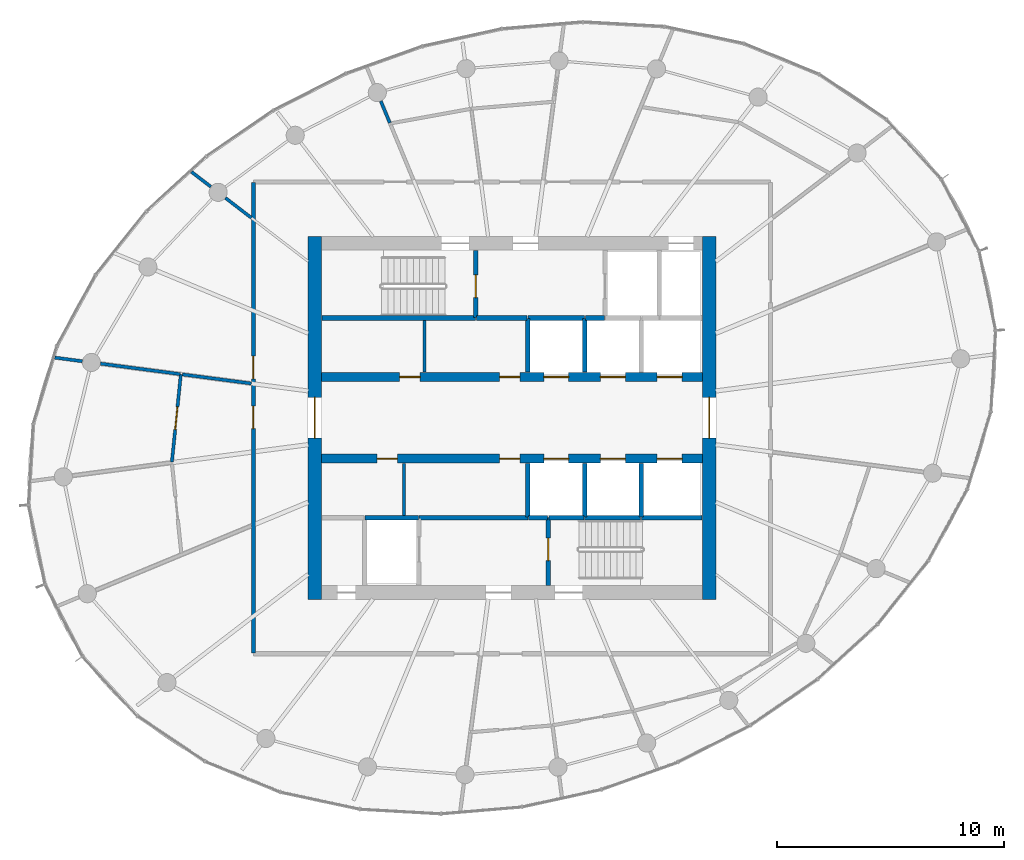
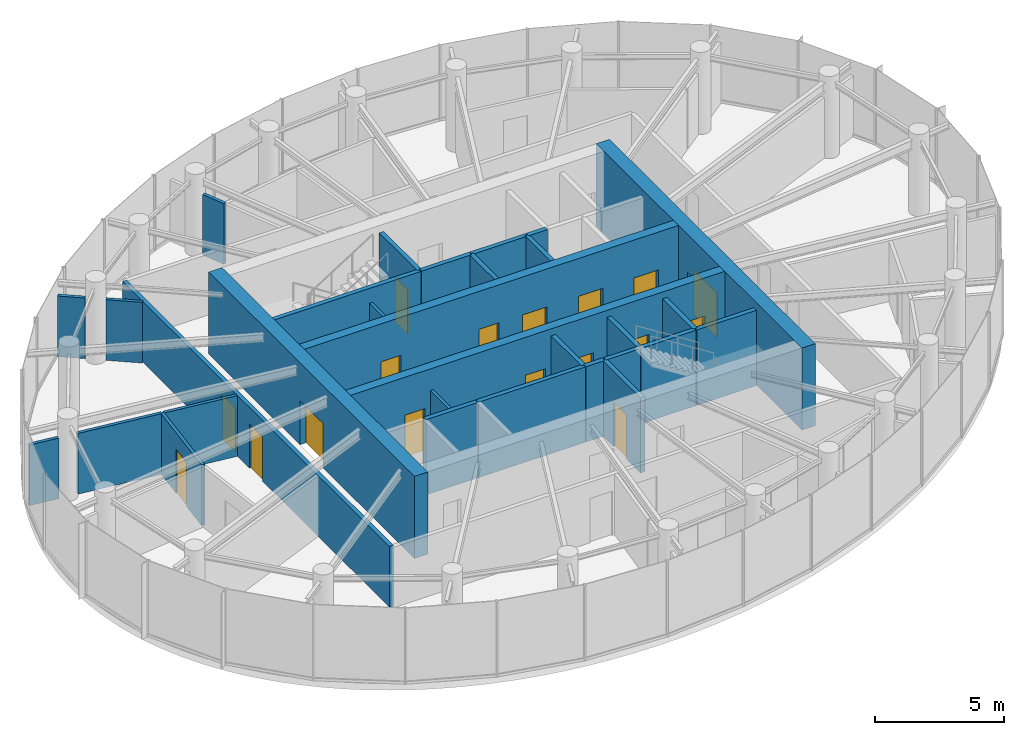
# One storey, part 9 of 13: 31 walls, 17 doors, 17 openings.
"""IFC4 building model written with IfcOpenShell, lengths in metres."""

from ifc_helpers import new_model, si_unit, direction, frame, frame_2d, origin, place, context, subcontext, project, spatial, rectangle, extrude, source, transform, mapped, material, layer, layer_set, type_object, element, fill, save


model = new_model("IFC4")

# Units and contexts
model_context = context("Model", 3, precision=1e-05, world=origin(), true_north=direction((0.0, 1.0)))
body_context = subcontext(model_context, "Body", "Model", "MODEL_VIEW")
ifc_project = project(units=[si_unit("LENGTHUNIT", "METRE"), si_unit("AREAUNIT", "SQUARE_METRE"), si_unit("VOLUMEUNIT", "CUBIC_METRE"), si_unit("PLANEANGLEUNIT", "RADIAN"), si_unit("MASSUNIT", "GRAM", prefix="KILO")], contexts=[model_context])

# Site, building, storey
site_placement = place(None, origin())
site = spatial("IfcSite", under=ifc_project, at=site_placement, CompositionType="ELEMENT")
building_placement = place(site_placement, origin())
building = spatial("IfcBuilding", under=site, at=building_placement, Name="Spindrift Exchange Tower", CompositionType="ELEMENT")
storey_placement = place(building_placement, frame((0.0, 0.0, 246.199951171875)))
storey = spatial("IfcBuildingStorey", under=building, at=storey_placement, Name="L60", CompositionType="ELEMENT", Elevation=246.199951171875)

# Wall, opening, door
ifc_material_1 = material(Name="Concrete 50 MPa", Category="concrete")
ifc_layer_1 = layer(ifc_material_1, 0.60009765625)
ifc_layer_set_1 = layer_set([ifc_layer_1], Name="RC Core Wall 600 Concrete 50 MPa")
wall_type_1 = type_object("IfcWallType", Name="RC Core Wall 600 Concrete 50 MPa", PredefinedType="SHEAR", material=ifc_layer_set_1)
wall_1_placement = place(storey_placement, frame((60.699951171875, 40.0, 0.0), z_axis=(0.0, 0.0, 1.0), x_axis=(0.0, 1.0, 0.0)))
wall_1 = element("IfcWall", 1, at=wall_1_placement, inside=storey, type_object=wall_type_1, Name="Core wall E L60", PredefinedType="SHEAR", context=body_context, shape_type="SweptSolid", body=[
    extrude(rectangle(XDim=16.0, YDim=0.60009765625, at=frame_2d((8.0, 0.0))), origin(), (0.0, 0.0, 1.0), 3.900146484375),
])
opening_1_placement = place(wall_1_placement, frame((7.10009765625, 0.0, 0.0)))
opening_1 = element("IfcOpeningElement", 2, at=opening_1_placement, cuts=wall_1, Name="Opening L60-D2", PredefinedType="OPENING", context=body_context, shape_type="SweptSolid", body=[
    extrude(rectangle(XDim=1.800048828125, YDim=2.10009765625, at=frame_2d((0.89990234375, 1.050048828125))), frame((0.0, 0.31005859375, 0.0), z_axis=(0.0, -1.0, 0.0), x_axis=(1.0, 0.0, 0.0)), (0.0, 0.0, 1.0), 0.6201171875),
])
ifc_material_2 = material(Name="Timber-core fire door", Category="wood")
door_type_1 = type_object("IfcDoorType", Name="DR-LOBBY-1800", OperationType="NOTDEFINED", PredefinedType="DOOR", material=ifc_material_2)
shared_shape_1 = source(origin(), body_context, "Body", "SweptSolid", [
    extrude(rectangle(XDim=1.800048828125, YDim=2.10009765625, at=frame_2d((0.89990234375, 1.050048828125))), frame((0.0, 0.02490234375, 0.0), z_axis=(0.0, -1.0, 0.0), x_axis=(1.0, 0.0, 0.0)), (0.0, 0.0, 1.0), 0.050048828125),
])
door_1_placement = place(opening_1_placement, origin())
door_1 = element("IfcDoor", 3, at=door_1_placement, inside=storey, type_object=door_type_1, Name="L60 Lobby door 2", OperationType="SINGLE_SWING_RIGHT", OverallHeight=2.10009765625, OverallWidth=1.800048828125, PredefinedType="DOOR", context=body_context, shape_type="MappedRepresentation", body=[
    mapped(shared_shape_1, transform((0.0, 0.0, 0.0), scale=1.0)),
])
fill(opening_1, door_1)

wall_2_placement = place(storey_placement, frame((43.300048828125, 56.0, 0.0), z_axis=(0.0, 0.0, 1.0), x_axis=(0.0, -1.0, 0.0)))
wall_2 = element("IfcWall", 4, at=wall_2_placement, inside=storey, type_object=wall_type_1, Name="Core wall W L60", PredefinedType="SHEAR", context=body_context, shape_type="SweptSolid", body=[
    extrude(rectangle(XDim=16.0, YDim=0.60009765625, at=frame_2d((8.0, 0.0))), origin(), (0.0, 0.0, 1.0), 3.900146484375),
])
opening_2_placement = place(wall_2_placement, frame((7.10009765625, 0.0, 0.0)))
opening_2 = element("IfcOpeningElement", 5, at=opening_2_placement, cuts=wall_2, Name="Opening L60-D1", PredefinedType="OPENING", context=body_context, shape_type="SweptSolid", body=[
    extrude(rectangle(XDim=1.800048828125, YDim=2.10009765625, at=frame_2d((0.89990234375, 1.050048828125))), frame((0.0, 0.31005859375, 0.0), z_axis=(0.0, -1.0, 0.0), x_axis=(1.0, 0.0, 0.0)), (0.0, 0.0, 1.0), 0.6201171875),
])
door_2_placement = place(opening_2_placement, origin())
door_2 = element("IfcDoor", 6, at=door_2_placement, inside=storey, type_object=door_type_1, Name="L60 Lobby door 1", OperationType="SINGLE_SWING_LEFT", OverallHeight=2.10009765625, OverallWidth=1.800048828125, PredefinedType="DOOR", context=body_context, shape_type="MappedRepresentation", body=[
    mapped(shared_shape_1, transform((0.0, 0.0, 0.0), scale=1.0)),
])
fill(opening_2, door_2)

# Wall, openings, doors
ifc_layer_2 = layer(ifc_material_1, 0.39990234375)
ifc_layer_set_2 = layer_set([ifc_layer_2], Name="RC Spine Wall 400 Concrete 50 MPa")
wall_type_2 = type_object("IfcWallType", Name="RC Spine Wall 400 Concrete 50 MPa", PredefinedType="SHEAR", material=ifc_layer_set_2)
wall_3_placement = place(storey_placement, frame((43.60009765625, 49.800048828125, 0.0), z_axis=(0.0, 0.0, 1.0), x_axis=(1.0, 0.0, 0.0)))
wall_3 = element("IfcWall", 7, at=wall_3_placement, inside=storey, type_object=wall_type_2, Name="Core spine wall N L60", PredefinedType="SHEAR", context=body_context, shape_type="SweptSolid", body=[
    extrude(rectangle(XDim=16.7998046875, YDim=0.39990234375, at=frame_2d((8.39990234375, 0.0))), origin(), (0.0, 0.0, 1.0), 3.900146484375),
])
opening_3_placement = place(wall_3_placement, frame((9.800048828125, 0.0, 0.0)))
opening_3 = element("IfcOpeningElement", 8, at=opening_3_placement, cuts=wall_3, Name="Opening L60-D3", PredefinedType="OPENING", context=body_context, shape_type="SweptSolid", body=[
    extrude(rectangle(XDim=1.10009765625, YDim=2.10009765625, at=frame_2d((0.550048828125, 1.050048828125))), frame((0.0, 0.2099609375, 0.0), z_axis=(0.0, -1.0, 0.0), x_axis=(1.0, 0.0, 0.0)), (0.0, 0.0, 1.0), 0.419921875),
])
opening_4_placement = place(wall_3_placement, frame((12.300048828125, 0.0, 0.0)))
opening_4 = element("IfcOpeningElement", 9, at=opening_4_placement, cuts=wall_3, Name="Opening L60-D4", PredefinedType="OPENING", context=body_context, shape_type="SweptSolid", body=[
    extrude(rectangle(XDim=1.10009765625, YDim=2.10009765625, at=frame_2d((0.550048828125, 1.050048828125))), frame((0.0, 0.2099609375, 0.0), z_axis=(0.0, -1.0, 0.0), x_axis=(1.0, 0.0, 0.0)), (0.0, 0.0, 1.0), 0.419921875),
])
opening_5_placement = place(wall_3_placement, frame((14.800048828125, 0.0, 0.0)))
opening_5 = element("IfcOpeningElement", 10, at=opening_5_placement, cuts=wall_3, Name="Opening L60-D5", PredefinedType="OPENING", context=body_context, shape_type="SweptSolid", body=[
    extrude(rectangle(XDim=1.10009765625, YDim=2.10009765625, at=frame_2d((0.550048828125, 1.050048828125))), frame((0.0, 0.2099609375, 0.0), z_axis=(0.0, -1.0, 0.0), x_axis=(1.0, 0.0, 0.0)), (0.0, 0.0, 1.0), 0.419921875),
])
opening_6_placement = place(wall_3_placement, frame((3.449951171875, 0.0, 0.0)))
opening_6 = element("IfcOpeningElement", 11, at=opening_6_placement, cuts=wall_3, Name="Opening L60-D40", PredefinedType="OPENING", context=body_context, shape_type="SweptSolid", body=[
    extrude(rectangle(XDim=0.89990234375, YDim=2.10009765625, at=frame_2d((0.449951171875, 1.050048828125))), frame((0.0, 0.2099609375, 0.0), z_axis=(0.0, -1.0, 0.0), x_axis=(1.0, 0.0, 0.0)), (0.0, 0.0, 1.0), 0.419921875),
])
opening_7_placement = place(wall_3_placement, frame((7.85009765625, 0.0, 0.0)))
opening_7 = element("IfcOpeningElement", 12, at=opening_7_placement, cuts=wall_3, Name="Opening L60-D41", PredefinedType="OPENING", context=body_context, shape_type="SweptSolid", body=[
    extrude(rectangle(XDim=0.89990234375, YDim=2.10009765625, at=frame_2d((0.449951171875, 1.050048828125))), frame((0.0, 0.2099609375, 0.0), z_axis=(0.0, -1.0, 0.0), x_axis=(1.0, 0.0, 0.0)), (0.0, 0.0, 1.0), 0.419921875),
])
ifc_material_3 = material(Name="Stainless steel landing door", Category="steel")
door_type_2 = type_object("IfcDoorType", Name="DR-LANDING-1100-SL", OperationType="DOUBLE_DOOR_SLIDING", PredefinedType="USERDEFINED", material=ifc_material_3)
shared_shape_2 = source(origin(), body_context, "Body", "SweptSolid", [
    extrude(rectangle(XDim=1.10009765625, YDim=2.10009765625, at=frame_2d((0.550048828125, 1.050048828125))), frame((0.0, 0.02490234375, 0.0), z_axis=(0.0, -1.0, 0.0), x_axis=(1.0, 0.0, 0.0)), (0.0, 0.0, 1.0), 0.050048828125),
])
door_3_placement = place(opening_3_placement, origin())
door_3 = element("IfcDoor", 13, at=door_3_placement, inside=storey, type_object=door_type_2, Name="L60 Lift landing door 3", ObjectType="LANDING DOOR", OperationType="DOUBLE_DOOR_SLIDING", OverallHeight=2.10009765625, OverallWidth=1.10009765625, PredefinedType="USERDEFINED", context=body_context, shape_type="MappedRepresentation", body=[
    mapped(shared_shape_2, transform((0.0, 0.0, 0.0), scale=1.0)),
])
fill(opening_3, door_3)
door_4_placement = place(opening_4_placement, origin())
door_4 = element("IfcDoor", 14, at=door_4_placement, inside=storey, type_object=door_type_2, Name="L60 Lift landing door 4", ObjectType="LANDING DOOR", OperationType="DOUBLE_DOOR_SLIDING", OverallHeight=2.10009765625, OverallWidth=1.10009765625, PredefinedType="USERDEFINED", context=body_context, shape_type="MappedRepresentation", body=[
    mapped(shared_shape_2, transform((0.0, 0.0, 0.0), scale=1.0)),
])
fill(opening_4, door_4)
door_5_placement = place(opening_5_placement, origin())
door_5 = element("IfcDoor", 15, at=door_5_placement, inside=storey, type_object=door_type_2, Name="L60 Lift landing door 5", ObjectType="LANDING DOOR", OperationType="DOUBLE_DOOR_SLIDING", OverallHeight=2.10009765625, OverallWidth=1.10009765625, PredefinedType="USERDEFINED", context=body_context, shape_type="MappedRepresentation", body=[
    mapped(shared_shape_2, transform((0.0, 0.0, 0.0), scale=1.0)),
])
fill(opening_5, door_5)
ifc_material_4 = material(Name="Steel access door", Category="steel")
door_type_3 = type_object("IfcDoorType", Name="DR-RISER-900", OperationType="NOTDEFINED", PredefinedType="DOOR", material=ifc_material_4)
shared_shape_3 = source(origin(), body_context, "Body", "SweptSolid", [
    extrude(rectangle(XDim=0.89990234375, YDim=2.10009765625, at=frame_2d((0.449951171875, 1.050048828125))), frame((0.0, 0.02490234375, 0.0), z_axis=(0.0, -1.0, 0.0), x_axis=(1.0, 0.0, 0.0)), (0.0, 0.0, 1.0), 0.050048828125),
])
door_6_placement = place(opening_6_placement, origin())
door_6 = element("IfcDoor", 16, at=door_6_placement, inside=storey, type_object=door_type_3, Name="L60 Riser door 40", OperationType="SINGLE_SWING_LEFT", OverallHeight=2.10009765625, OverallWidth=0.89990234375, PredefinedType="DOOR", context=body_context, shape_type="MappedRepresentation", body=[
    mapped(shared_shape_3, transform((0.0, 0.0, 0.0), scale=1.0)),
])
fill(opening_6, door_6)
door_7_placement = place(opening_7_placement, origin())
door_7 = element("IfcDoor", 17, at=door_7_placement, inside=storey, type_object=door_type_3, Name="L60 Riser door 41", OperationType="SINGLE_SWING_RIGHT", OverallHeight=2.10009765625, OverallWidth=0.89990234375, PredefinedType="DOOR", context=body_context, shape_type="MappedRepresentation", body=[
    mapped(shared_shape_3, transform((0.0, 0.0, 0.0), scale=1.0)),
])
fill(opening_7, door_7)

wall_4_placement = place(storey_placement, frame((43.60009765625, 46.199951171875, 0.0), z_axis=(0.0, 0.0, 1.0), x_axis=(1.0, 0.0, 0.0)))
wall_4 = element("IfcWall", 18, at=wall_4_placement, inside=storey, type_object=wall_type_2, Name="Core spine wall S L60", PredefinedType="SHEAR", context=body_context, shape_type="SweptSolid", body=[
    extrude(rectangle(XDim=16.7998046875, YDim=0.39990234375, at=frame_2d((8.39990234375, 0.0))), origin(), (0.0, 0.0, 1.0), 3.900146484375),
])
opening_8_placement = place(wall_4_placement, frame((9.800048828125, 0.0, 0.0)))
opening_8 = element("IfcOpeningElement", 19, at=opening_8_placement, cuts=wall_4, Name="Opening L60-D6", PredefinedType="OPENING", context=body_context, shape_type="SweptSolid", body=[
    extrude(rectangle(XDim=1.10009765625, YDim=2.10009765625, at=frame_2d((0.550048828125, 1.050048828125))), frame((0.0, 0.2099609375, 0.0), z_axis=(0.0, -1.0, 0.0), x_axis=(1.0, 0.0, 0.0)), (0.0, 0.0, 1.0), 0.419921875),
])
opening_9_placement = place(wall_4_placement, frame((12.300048828125, 0.0, 0.0)))
opening_9 = element("IfcOpeningElement", 20, at=opening_9_placement, cuts=wall_4, Name="Opening L60-D7", PredefinedType="OPENING", context=body_context, shape_type="SweptSolid", body=[
    extrude(rectangle(XDim=1.10009765625, YDim=2.10009765625, at=frame_2d((0.550048828125, 1.050048828125))), frame((0.0, 0.2099609375, 0.0), z_axis=(0.0, -1.0, 0.0), x_axis=(1.0, 0.0, 0.0)), (0.0, 0.0, 1.0), 0.419921875),
])
opening_10_placement = place(wall_4_placement, frame((14.800048828125, 0.0, 0.0)))
opening_10 = element("IfcOpeningElement", 21, at=opening_10_placement, cuts=wall_4, Name="Opening L60-D8", PredefinedType="OPENING", context=body_context, shape_type="SweptSolid", body=[
    extrude(rectangle(XDim=1.10009765625, YDim=2.10009765625, at=frame_2d((0.550048828125, 1.050048828125))), frame((0.0, 0.2099609375, 0.0), z_axis=(0.0, -1.0, 0.0), x_axis=(1.0, 0.0, 0.0)), (0.0, 0.0, 1.0), 0.419921875),
])
opening_11_placement = place(wall_4_placement, frame((2.449951171875, 0.0, 0.0)))
opening_11 = element("IfcOpeningElement", 22, at=opening_11_placement, cuts=wall_4, Name="Opening L60-D42", PredefinedType="OPENING", context=body_context, shape_type="SweptSolid", body=[
    extrude(rectangle(XDim=0.89990234375, YDim=2.10009765625, at=frame_2d((0.449951171875, 1.050048828125))), frame((0.0, 0.2099609375, 0.0), z_axis=(0.0, -1.0, 0.0), x_axis=(1.0, 0.0, 0.0)), (0.0, 0.0, 1.0), 0.419921875),
])
opening_12_placement = place(wall_4_placement, frame((7.85009765625, 0.0, 0.0)))
opening_12 = element("IfcOpeningElement", 23, at=opening_12_placement, cuts=wall_4, Name="Opening L60-D43", PredefinedType="OPENING", context=body_context, shape_type="SweptSolid", body=[
    extrude(rectangle(XDim=0.89990234375, YDim=2.10009765625, at=frame_2d((0.449951171875, 1.050048828125))), frame((0.0, 0.2099609375, 0.0), z_axis=(0.0, -1.0, 0.0), x_axis=(1.0, 0.0, 0.0)), (0.0, 0.0, 1.0), 0.419921875),
])
door_8_placement = place(opening_8_placement, origin())
door_8 = element("IfcDoor", 24, at=door_8_placement, inside=storey, type_object=door_type_2, Name="L60 Lift landing door 6", ObjectType="LANDING DOOR", OperationType="DOUBLE_DOOR_SLIDING", OverallHeight=2.10009765625, OverallWidth=1.10009765625, PredefinedType="USERDEFINED", context=body_context, shape_type="MappedRepresentation", body=[
    mapped(shared_shape_2, transform((0.0, 0.0, 0.0), scale=1.0)),
])
fill(opening_8, door_8)
door_9_placement = place(opening_9_placement, origin())
door_9 = element("IfcDoor", 25, at=door_9_placement, inside=storey, type_object=door_type_2, Name="L60 Lift landing door 7", ObjectType="LANDING DOOR", OperationType="DOUBLE_DOOR_SLIDING", OverallHeight=2.10009765625, OverallWidth=1.10009765625, PredefinedType="USERDEFINED", context=body_context, shape_type="MappedRepresentation", body=[
    mapped(shared_shape_2, transform((0.0, 0.0, 0.0), scale=1.0)),
])
fill(opening_9, door_9)
door_10_placement = place(opening_10_placement, origin())
door_10 = element("IfcDoor", 26, at=door_10_placement, inside=storey, type_object=door_type_2, Name="L60 Lift landing door 8", ObjectType="LANDING DOOR", OperationType="DOUBLE_DOOR_SLIDING", OverallHeight=2.10009765625, OverallWidth=1.10009765625, PredefinedType="USERDEFINED", context=body_context, shape_type="MappedRepresentation", body=[
    mapped(shared_shape_2, transform((0.0, 0.0, 0.0), scale=1.0)),
])
fill(opening_10, door_10)
door_11_placement = place(opening_11_placement, origin())
door_11 = element("IfcDoor", 27, at=door_11_placement, inside=storey, type_object=door_type_3, Name="L60 Riser door 42", OperationType="SINGLE_SWING_LEFT", OverallHeight=2.10009765625, OverallWidth=0.89990234375, PredefinedType="DOOR", context=body_context, shape_type="MappedRepresentation", body=[
    mapped(shared_shape_3, transform((0.0, 0.0, 0.0), scale=1.0)),
])
fill(opening_11, door_11)
door_12_placement = place(opening_12_placement, origin())
door_12 = element("IfcDoor", 28, at=door_12_placement, inside=storey, type_object=door_type_3, Name="L60 Riser door 43", OperationType="SINGLE_SWING_RIGHT", OverallHeight=2.10009765625, OverallWidth=0.89990234375, PredefinedType="DOOR", context=body_context, shape_type="MappedRepresentation", body=[
    mapped(shared_shape_3, transform((0.0, 0.0, 0.0), scale=1.0)),
])
fill(opening_12, door_12)

# Wall, opening, door
ifc_material_5 = material(Name="Fire-rated plasterboard partition", Category="gypsum")
ifc_layer_3 = layer(ifc_material_5, 0.139892578125)
ifc_layer_set_3 = layer_set([ifc_layer_3], Name="W-PART-140")
wall_type_3 = type_object("IfcWallType", Name="W-PART-140", PredefinedType="PARTITIONING", material=ifc_layer_set_3)
wall_5_placement = place(storey_placement, frame((37.009765625, 46.055908203125, 0.0), z_axis=(0.0, 0.0, 1.0), x_axis=(0.101220533305, 0.994864012636, 0.0)))
wall_5 = element("IfcWall", 29, at=wall_5_placement, inside=storey, type_object=wall_type_3, Name="L60 Partition wall 42", PredefinedType="PARTITIONING", context=body_context, shape_type="SweptSolid", body=[
    extrude(rectangle(XDim=3.8857421875, YDim=0.139892578125, at=frame_2d((1.94287109375, 0.0))), origin(), (0.0, 0.0, 1.0), 2.880126953125),
])
opening_13_placement = place(wall_5_placement, frame((1.435791015625, 0.0, 0.0)))
opening_13 = element("IfcOpeningElement", 30, at=opening_13_placement, cuts=wall_5, Name="Opening L60-D24", PredefinedType="OPENING", context=body_context, shape_type="SweptSolid", body=[
    extrude(rectangle(XDim=1.0, YDim=2.10009765625, at=frame_2d((0.5, 1.050048828125))), frame((0.0, 0.079833984375, 0.0), z_axis=(0.0, -1.0, 0.0), x_axis=(1.0, 0.0, 0.0)), (0.0, 0.0, 1.0), 0.159912109375),
])
door_type_4 = type_object("IfcDoorType", Name="DR-ROOM-1000", OperationType="NOTDEFINED", PredefinedType="DOOR", material=ifc_material_2)
shared_shape_4 = source(origin(), body_context, "Body", "SweptSolid", [
    extrude(rectangle(XDim=1.0, YDim=2.10009765625, at=frame_2d((0.5, 1.050048828125))), frame((0.0, 0.02490234375, 0.0), z_axis=(0.0, -1.0, 0.0), x_axis=(1.0, 0.0, 0.0)), (0.0, 0.0, 1.0), 0.050048828125),
])
door_13_placement = place(opening_13_placement, origin())
door_13 = element("IfcDoor", 31, at=door_13_placement, inside=storey, type_object=door_type_4, Name="L60 Door 24", OperationType="SINGLE_SWING_LEFT", OverallHeight=2.10009765625, OverallWidth=1.0, PredefinedType="DOOR", context=body_context, shape_type="MappedRepresentation", body=[
    mapped(shared_shape_4, transform((0.0, 0.0, 0.0), scale=1.0)),
])
fill(opening_13, door_13)

# Walls
wall_6_placement = place(storey_placement, frame((37.373291015625, 49.925537109375, 0.0), z_axis=(0.0, 0.0, 1.0), x_axis=(-0.991444440683, 0.130529387644, 0.0)))
element("IfcWall", 32, at=wall_6_placement, inside=storey, type_object=wall_type_3, Name="L60 Partition wall 48", PredefinedType="PARTITIONING", context=body_context, shape_type="SweptSolid", body=[
    extrude(rectangle(XDim=3.54248046875, YDim=0.139892578125, at=frame_2d((1.771240234375, 0.0))), origin(), (0.0, 0.0, 1.0), 2.880126953125),
])
wall_7_placement = place(storey_placement, frame((40.510009765625, 49.5126953125, 0.0), z_axis=(0.0, 0.0, 1.0), x_axis=(-0.99144507148, 0.130524596294, 0.0)))
element("IfcWall", 33, at=wall_7_placement, inside=storey, type_object=wall_type_3, Name="L60 Partition wall 52", PredefinedType="PARTITIONING", context=body_context, shape_type="SweptSolid", body=[
    extrude(rectangle(XDim=3.063720703125, YDim=0.139892578125, at=frame_2d((1.53173828125, 0.0))), origin(), (0.0, 0.0, 1.0), 2.880126953125),
])
for number, where, z_axis, x_axis, name in (
    (34, (47.239990234375, 43.699951171875, 0.0), (0.0, 0.0, 1.0), (0.0, 1.0, 0.0), "L60 Partition wall 55"),
    (35, (48.14990234375, 50.010009765625, 0.0), (0.0, 0.0, 1.0), (0.0, 1.0, 0.0), "L60 Partition wall 56"),
):
    element("IfcWall", number, at=place(storey_placement, frame(where, z_axis=z_axis, x_axis=x_axis)), inside=storey, type_object=wall_type_3, Name=name, PredefinedType="PARTITIONING", context=body_context, shape_type="SweptSolid", body=[
        extrude(rectangle(XDim=2.2900390625, YDim=0.139892578125, at=frame_2d((1.14501953125, 0.0))), origin(), (0.0, 0.0, 1.0), 2.880126953125),
    ])
wall_8_placement = place(storey_placement, frame((40.510009765625, 56.816650390625, 0.0), z_axis=(0.0, 0.0, 1.0), x_axis=(-0.793316945216, 0.608808857059, 0.0)))
element("IfcWall", 36, at=wall_8_placement, inside=storey, type_object=wall_type_3, Name="L60 Partition wall 57", PredefinedType="PARTITIONING", context=body_context, shape_type="SweptSolid", body=[
    extrude(rectangle(XDim=1.439697265625, YDim=0.139892578125, at=frame_2d((0.7197265625, 0.0))), origin(), (0.0, 0.0, 1.0), 2.880126953125),
])
wall_9_placement = place(storey_placement, frame((33.058837890625, 50.49365234375, 0.0), z_axis=(0.0, 0.0, 1.0), x_axis=(-0.991435934833, 0.130593978123, 0.0)))
element("IfcWall", 37, at=wall_9_placement, inside=storey, type_object=wall_type_3, Name="L60 Partition wall 64", PredefinedType="PARTITIONING", context=body_context, shape_type="SweptSolid", body=[
    extrude(rectangle(XDim=1.22265625, YDim=0.139892578125, at=frame_2d((0.611328125, 0.0))), origin(), (0.0, 0.0, 1.0), 2.880126953125),
])
wall_10_placement = place(storey_placement, frame((38.72607421875, 58.185546875, 0.0), z_axis=(0.0, 0.0, 1.0), x_axis=(-0.793403043082, 0.608696649596, 0.0)))
element("IfcWall", 38, at=wall_10_placement, inside=storey, type_object=wall_type_3, Name="L60 Partition wall 71", PredefinedType="PARTITIONING", context=body_context, shape_type="SweptSolid", body=[
    extrude(rectangle(XDim=1.08251953125, YDim=0.139892578125, at=frame_2d((0.541259765625, 0.0))), origin(), (0.0, 0.0, 1.0), 2.880126953125),
])
wall_11_placement = place(storey_placement, frame((46.614501953125, 61.001708984375, 0.0), z_axis=(0.0, 0.0, 1.0), x_axis=(-0.382608264474, 0.923910664489, 0.0)))
element("IfcWall", 39, at=wall_11_placement, inside=storey, type_object=wall_type_3, Name="L60 Partition wall 74", PredefinedType="PARTITIONING", context=body_context, shape_type="SweptSolid", body=[
    extrude(rectangle(XDim=1.036865234375, YDim=0.139892578125, at=frame_2d((0.5185546875, 0.0))), origin(), (0.0, 0.0, 1.0), 2.880126953125),
])

# Wall, openings, doors
ifc_layer_4 = layer(ifc_material_5, 0.179931640625)
ifc_layer_set_4 = layer_set([ifc_layer_4], Name="W-PLANT-180")
wall_type_4 = type_object("IfcWallType", Name="W-PLANT-180", PredefinedType="PARTITIONING", material=ifc_layer_set_4)
wall_12_placement = place(storey_placement, frame((40.60009765625, 37.6298828125, 0.0), z_axis=(0.0, 0.0, 1.0), x_axis=(0.0, 1.0, 0.0)))
wall_12 = element("IfcWall", 40, at=wall_12_placement, inside=storey, type_object=wall_type_4, Name="L60 Partition wall 30", PredefinedType="PARTITIONING", context=body_context, shape_type="SweptSolid", body=[
    extrude(rectangle(XDim=20.740234375, YDim=0.179931640625, at=frame_2d((10.3701171875, 0.0))), origin(), (0.0, 0.0, 1.0), 2.880126953125),
])
opening_14_placement = place(wall_12_placement, frame((12.090087890625, 0.0, 0.0)))
opening_14 = element("IfcOpeningElement", 41, at=opening_14_placement, cuts=wall_12, Name="Opening L60-D22", PredefinedType="OPENING", context=body_context, shape_type="SweptSolid", body=[
    extrude(rectangle(XDim=1.0, YDim=2.10009765625, at=frame_2d((0.5, 1.050048828125))), frame((0.0, 0.099853515625, 0.0), z_axis=(0.0, -1.0, 0.0), x_axis=(1.0, 0.0, 0.0)), (0.0, 0.0, 1.0), 0.199951171875),
])
opening_15_placement = place(wall_12_placement, frame((9.889892578125, 0.0, 0.0)))
opening_15 = element("IfcOpeningElement", 42, at=opening_15_placement, cuts=wall_12, Name="Opening L60-D23", PredefinedType="OPENING", context=body_context, shape_type="SweptSolid", body=[
    extrude(rectangle(XDim=1.0, YDim=2.10009765625, at=frame_2d((0.5, 1.050048828125))), frame((0.0, 0.099853515625, 0.0), z_axis=(0.0, -1.0, 0.0), x_axis=(1.0, 0.0, 0.0)), (0.0, 0.0, 1.0), 0.199951171875),
])
door_14_placement = place(opening_14_placement, origin())
door_14 = element("IfcDoor", 43, at=door_14_placement, inside=storey, type_object=door_type_4, Name="L60 Door 22", OperationType="SINGLE_SWING_LEFT", OverallHeight=2.10009765625, OverallWidth=1.0, PredefinedType="DOOR", context=body_context, shape_type="MappedRepresentation", body=[
    mapped(shared_shape_4, transform((0.0, 0.0, 0.0), scale=1.0)),
])
fill(opening_14, door_14)
door_15_placement = place(opening_15_placement, origin())
door_15 = element("IfcDoor", 44, at=door_15_placement, inside=storey, type_object=door_type_4, Name="L60 Door 23", OperationType="SINGLE_SWING_RIGHT", OverallHeight=2.10009765625, OverallWidth=1.0, PredefinedType="DOOR", context=body_context, shape_type="MappedRepresentation", body=[
    mapped(shared_shape_4, transform((0.0, 0.0, 0.0), scale=1.0)),
])
fill(opening_15, door_15)

# Walls
ifc_material_6 = material(Name="Concrete 40 MPa", Category="concrete")
ifc_layer_5 = layer(ifc_material_6, 0.199951171875)
ifc_layer_set_5 = layer_set([ifc_layer_5], Name="W-SHAFT-200")
wall_type_5 = type_object("IfcWallType", Name="W-SHAFT-200", PredefinedType="SOLIDWALL", material=ifc_layer_set_5)
wall_13_placement = place(storey_placement, frame((52.699951171875, 43.60009765625, 0.0), z_axis=(0.0, 0.0, 1.0), x_axis=(-1.0, 0.0, 0.0)))
element("IfcWall", 45, at=wall_13_placement, inside=storey, type_object=wall_type_5, Name="L60 Shaft wall 2", PredefinedType="SOLIDWALL", context=body_context, shape_type="SweptSolid", body=[
    extrude(rectangle(XDim=4.800048828125, YDim=0.199951171875, at=frame_2d((2.39990234375, 0.0))), origin(), (0.0, 0.0, 1.0), 3.580078125),
])
wall_14_placement = place(storey_placement, frame((55.199951171875, 52.39990234375, 0.0), z_axis=(0.0, 0.0, 1.0), x_axis=(-1.0, 0.0, 0.0)))
element("IfcWall", 46, at=wall_14_placement, inside=storey, type_object=wall_type_5, Name="L60 Shaft wall 10", PredefinedType="SOLIDWALL", context=body_context, shape_type="SweptSolid", body=[
    extrude(rectangle(XDim=2.5, YDim=0.199951171875, at=frame_2d((1.25, 0.0))), origin(), (0.0, 0.0, 1.0), 3.580078125),
])
wall_15_placement = place(storey_placement, frame((47.8701171875, 43.60009765625, 0.0), z_axis=(0.0, 0.0, 1.0), x_axis=(-1.0, 0.0, 0.0)))
element("IfcWall", 47, at=wall_15_placement, inside=storey, type_object=wall_type_5, Name="L60 Shaft wall 12", PredefinedType="SOLIDWALL", context=body_context, shape_type="SweptSolid", body=[
    extrude(rectangle(XDim=2.340087890625, YDim=0.199951171875, at=frame_2d((1.169921875, 0.0))), origin(), (0.0, 0.0, 1.0), 3.580078125),
])
for number, where, z_axis, x_axis, name in (
    (48, (52.699951171875, 45.989990234375, 0.0), (0.0, 0.0, 1.0), (0.0, -1.0, 0.0), "L60 Shaft wall 13"),
    (49, (52.699951171875, 52.3701171875, 0.0), (0.0, 0.0, 1.0), (0.0, -1.0, 0.0), "L60 Shaft wall 14"),
    (50, (55.199951171875, 50.010009765625, 0.0), (0.0, 0.0, 1.0), (0.0, 1.0, 0.0), "L60 Shaft wall 16"),
):
    element("IfcWall", number, at=place(storey_placement, frame(where, z_axis=z_axis, x_axis=x_axis)), inside=storey, type_object=wall_type_5, Name=name, PredefinedType="SOLIDWALL", context=body_context, shape_type="SweptSolid", body=[
        extrude(rectangle(XDim=2.360107421875, YDim=0.199951171875, at=frame_2d((1.18017578125, 0.0))), origin(), (0.0, 0.0, 1.0), 3.580078125),
    ])
wall_16_placement = place(storey_placement, frame((56.070068359375, 52.39990234375, 0.0), z_axis=(0.0, 0.0, 1.0), x_axis=(-1.0, 0.0, 0.0)))
element("IfcWall", 51, at=wall_16_placement, inside=storey, type_object=wall_type_5, Name="L60 Shaft wall 25", PredefinedType="SOLIDWALL", context=body_context, shape_type="SweptSolid", body=[
    extrude(rectangle(XDim=0.840087890625, YDim=0.199951171875, at=frame_2d((0.419921875, 0.0))), origin(), (0.0, 0.0, 1.0), 3.580078125),
])
ifc_layer_6 = layer(ifc_material_6, 0.199951171875)
ifc_layer_set_6 = layer_set([ifc_layer_6], Name="W-SHAFT-200-LB")
wall_type_6 = type_object("IfcWallType", Name="W-SHAFT-200-LB", PredefinedType="SOLIDWALL", material=ifc_layer_set_6)
wall_17_placement = place(storey_placement, frame((43.6201171875, 52.39990234375, 0.0), z_axis=(0.0, 0.0, 1.0), x_axis=(1.0, 0.0, 0.0)))
element("IfcWall", 52, at=wall_17_placement, inside=storey, type_object=wall_type_6, Name="L60 Shaft wall 1", PredefinedType="SOLIDWALL", context=body_context, shape_type="SweptSolid", body=[
    extrude(rectangle(XDim=6.77978515625, YDim=0.199951171875, at=frame_2d((3.389892578125, 0.0))), origin(), (0.0, 0.0, 1.0), 3.580078125),
])

# Wall, opening, door
wall_18_placement = place(storey_placement, frame((50.39990234375, 52.429931640625, 0.0), z_axis=(0.0, 0.0, 1.0), x_axis=(0.0, 1.0, 0.0)))
wall_18 = element("IfcWall", 53, at=wall_18_placement, inside=storey, type_object=wall_type_6, Name="L60 Shaft wall 5", PredefinedType="SOLIDWALL", context=body_context, shape_type="SweptSolid", body=[
    extrude(rectangle(XDim=2.949951171875, YDim=0.199951171875, at=frame_2d((1.47509765625, 0.0))), origin(), (0.0, 0.0, 1.0), 3.580078125),
])
opening_16_placement = place(wall_18_placement, frame((0.8701171875, 0.0, 0.0)))
opening_16 = element("IfcOpeningElement", 54, at=opening_16_placement, cuts=wall_18, Name="Opening L60-D13", PredefinedType="OPENING", context=body_context, shape_type="SweptSolid", body=[
    extrude(rectangle(XDim=1.0, YDim=2.10009765625, at=frame_2d((0.5, 1.050048828125))), frame((0.0, 0.10986328125, 0.0), z_axis=(0.0, -1.0, 0.0), x_axis=(1.0, 0.0, 0.0)), (0.0, 0.0, 1.0), 0.219970703125),
])
ifc_material_7 = material(Name="Steel fire door", Category="steel")
door_type_5 = type_object("IfcDoorType", Name="DR-STAIR-1000", OperationType="NOTDEFINED", PredefinedType="DOOR", material=ifc_material_7)
shared_shape_5 = source(origin(), body_context, "Body", "SweptSolid", [
    extrude(rectangle(XDim=1.0, YDim=2.10009765625, at=frame_2d((0.5, 1.050048828125))), frame((0.0, 0.02490234375, 0.0), z_axis=(0.0, -1.0, 0.0), x_axis=(1.0, 0.0, 0.0)), (0.0, 0.0, 1.0), 0.050048828125),
])
door_16_placement = place(opening_16_placement, origin())
door_16 = element("IfcDoor", 55, at=door_16_placement, inside=storey, type_object=door_type_5, Name="L60 Stair door 13", OperationType="SINGLE_SWING_RIGHT", OverallHeight=2.10009765625, OverallWidth=1.0, PredefinedType="DOOR", context=body_context, shape_type="MappedRepresentation", body=[
    mapped(shared_shape_5, transform((0.0, 0.0, 0.0), scale=1.0)),
])
fill(opening_16, door_16)

wall_19_placement = place(storey_placement, frame((53.60009765625, 43.60009765625, 0.0), z_axis=(0.0, 0.0, 1.0), x_axis=(0.0, -1.0, 0.0)))
wall_19 = element("IfcWall", 56, at=wall_19_placement, inside=storey, type_object=wall_type_6, Name="L60 Shaft wall 6", PredefinedType="SOLIDWALL", context=body_context, shape_type="SweptSolid", body=[
    extrude(rectangle(XDim=2.97998046875, YDim=0.199951171875, at=frame_2d((1.489990234375, 0.0))), origin(), (0.0, 0.0, 1.0), 3.580078125),
])
opening_17_placement = place(wall_19_placement, frame((0.89990234375, 0.0, 0.0)))
opening_17 = element("IfcOpeningElement", 57, at=opening_17_placement, cuts=wall_19, Name="Opening L60-D16", PredefinedType="OPENING", context=body_context, shape_type="SweptSolid", body=[
    extrude(rectangle(XDim=1.0, YDim=2.10009765625, at=frame_2d((0.5, 1.050048828125))), frame((0.0, 0.10986328125, 0.0), z_axis=(0.0, -1.0, 0.0), x_axis=(1.0, 0.0, 0.0)), (0.0, 0.0, 1.0), 0.219970703125),
])
door_17_placement = place(opening_17_placement, origin())
door_17 = element("IfcDoor", 58, at=door_17_placement, inside=storey, type_object=door_type_5, Name="L60 Stair door 16", OperationType="SINGLE_SWING_LEFT", OverallHeight=2.10009765625, OverallWidth=1.0, PredefinedType="DOOR", context=body_context, shape_type="MappedRepresentation", body=[
    mapped(shared_shape_5, transform((0.0, 0.0, 0.0), scale=1.0)),
])
fill(opening_17, door_17)

# Walls
wall_20_placement = place(storey_placement, frame((57.699951171875, 43.60009765625, 0.0), z_axis=(0.0, 0.0, 1.0), x_axis=(1.0, 0.0, 0.0)))
element("IfcWall", 59, at=wall_20_placement, inside=storey, type_object=wall_type_6, Name="L60 Shaft wall 9", PredefinedType="SOLIDWALL", context=body_context, shape_type="SweptSolid", body=[
    extrude(rectangle(XDim=2.679931640625, YDim=0.199951171875, at=frame_2d((1.33984375, 0.0))), origin(), (0.0, 0.0, 1.0), 3.580078125),
])
wall_21_placement = place(storey_placement, frame((55.199951171875, 43.60009765625, 0.0), z_axis=(0.0, 0.0, 1.0), x_axis=(1.0, 0.0, 0.0)))
element("IfcWall", 60, at=wall_21_placement, inside=storey, type_object=wall_type_6, Name="L60 Shaft wall 11", PredefinedType="SOLIDWALL", context=body_context, shape_type="SweptSolid", body=[
    extrude(rectangle(XDim=2.469970703125, YDim=0.199951171875, at=frame_2d((1.23486328125, 0.0))), origin(), (0.0, 0.0, 1.0), 3.580078125),
])
for number, where, z_axis, x_axis, name in (
    (61, (55.199951171875, 43.6298828125, 0.0), (0.0, 0.0, 1.0), (0.0, 1.0, 0.0), "L60 Shaft wall 15"),
    (62, (57.699951171875, 43.6298828125, 0.0), (0.0, 0.0, 1.0), (0.0, 1.0, 0.0), "L60 Shaft wall 17"),
):
    element("IfcWall", number, at=place(storey_placement, frame(where, z_axis=z_axis, x_axis=x_axis)), inside=storey, type_object=wall_type_6, Name=name, PredefinedType="SOLIDWALL", context=body_context, shape_type="SweptSolid", body=[
        extrude(rectangle(XDim=2.360107421875, YDim=0.199951171875, at=frame_2d((1.18017578125, 0.0))), origin(), (0.0, 0.0, 1.0), 3.580078125),
    ])
wall_22_placement = place(storey_placement, frame((50.429931640625, 52.39990234375, 0.0), z_axis=(0.0, 0.0, 1.0), x_axis=(1.0, 0.0, 0.0)))
element("IfcWall", 63, at=wall_22_placement, inside=storey, type_object=wall_type_6, Name="L60 Shaft wall 19", PredefinedType="SOLIDWALL", context=body_context, shape_type="SweptSolid", body=[
    extrude(rectangle(XDim=2.239990234375, YDim=0.199951171875, at=frame_2d((1.1201171875, 0.0))), origin(), (0.0, 0.0, 1.0), 3.580078125),
])
wall_23_placement = place(storey_placement, frame((53.6298828125, 43.60009765625, 0.0), z_axis=(0.0, 0.0, 1.0), x_axis=(1.0, 0.0, 0.0)))
element("IfcWall", 64, at=wall_23_placement, inside=storey, type_object=wall_type_6, Name="L60 Shaft wall 22", PredefinedType="SOLIDWALL", context=body_context, shape_type="SweptSolid", body=[
    extrude(rectangle(XDim=1.5400390625, YDim=0.199951171875, at=frame_2d((0.77001953125, 0.0))), origin(), (0.0, 0.0, 1.0), 3.580078125),
])
wall_24_placement = place(storey_placement, frame((52.72998046875, 43.60009765625, 0.0), z_axis=(0.0, 0.0, 1.0), x_axis=(1.0, 0.0, 0.0)))
element("IfcWall", 65, at=wall_24_placement, inside=storey, type_object=wall_type_6, Name="L60 Shaft wall 24", PredefinedType="SOLIDWALL", context=body_context, shape_type="SweptSolid", body=[
    extrude(rectangle(XDim=0.840087890625, YDim=0.199951171875, at=frame_2d((0.419921875, 0.0))), origin(), (0.0, 0.0, 1.0), 3.580078125),
])

save(model, "model.ifc")
